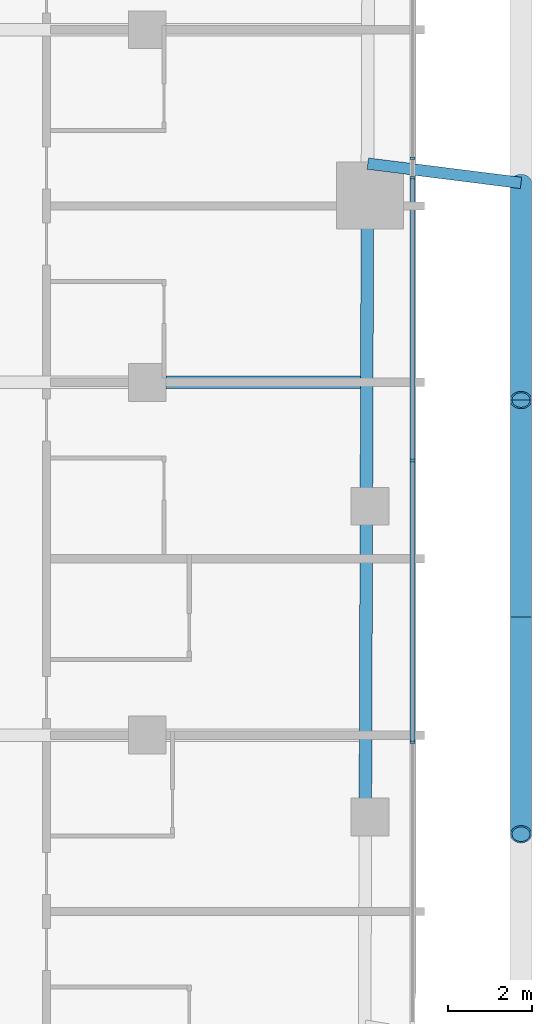
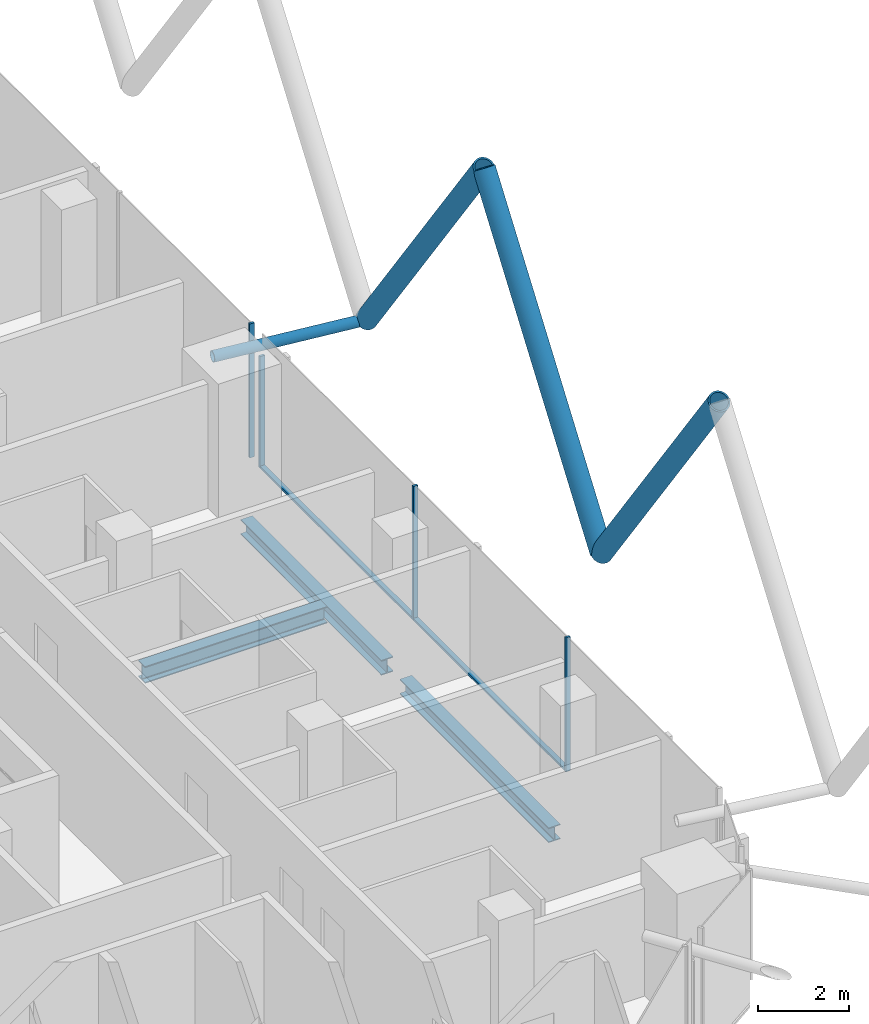
# One storey, part 8 of 36: 10 members, 3 beams, 3 elements without a shape of their own.
"""IFC4 building model written with IfcOpenShell, lengths in metres."""

from ifc_helpers import new_model, si_unit, direction, frame, origin, origin_2d, place, context, subcontext, project, spatial, rectangle, hollow_circle, i_section, extrude, material, layer, layer_set, material_profile, profile_set, type_object, element, aggregate, save


model = new_model("IFC4")

# Units and contexts
model_context = context("Model", 3, precision=1e-05, world=origin(), true_north=direction((0.0, 1.0)))
body_context = subcontext(model_context, "Body", "Model", "MODEL_VIEW")
ifc_project = project(units=[si_unit("LENGTHUNIT", "METRE"), si_unit("AREAUNIT", "SQUARE_METRE"), si_unit("VOLUMEUNIT", "CUBIC_METRE"), si_unit("PLANEANGLEUNIT", "RADIAN"), si_unit("MASSUNIT", "GRAM", prefix="KILO")], contexts=[model_context])

# Site, building, storey
site_placement = place(None, origin())
site = spatial("IfcSite", under=ifc_project, at=site_placement, CompositionType="ELEMENT")
building_placement = place(site_placement, origin())
building = spatial("IfcBuilding", under=site, at=building_placement, Name="Marenta Gate Hotel Tower", CompositionType="ELEMENT")
storey_placement = place(building_placement, frame((0.0, 0.0, 144.5)))
storey = spatial("IfcBuildingStorey", under=building, at=storey_placement, Name="L33", CompositionType="ELEMENT", Elevation=144.5)

# Members
ifc_material_1 = material(Name="Steel S355J2W", Category="steel")
ifc_material_profile_1 = material_profile(ifc_material_1, hollow_circle(Radius=0.25390625, WallThickness=0.0400390625, at=origin_2d()), Name="CHS 508x40")
ifc_profile_set_1 = profile_set([ifc_material_profile_1], Name="Steel S355J2W")
member_type_1 = type_object("IfcMemberType", Name="Diagrid diagonal Z2 CHS 508x40", PredefinedType="BRACE", material=ifc_profile_set_1)
member_1_placement = place(storey_placement, frame((29.89990234375, 4.75, 3.139892578125), z_axis=(0.0, -0.583265964901, 0.81228124082), x_axis=(1.0, 0.0, 0.0)))
element("IfcMember", 1, at=member_1_placement, inside=storey, type_object=member_type_1, Name="L33-DG-6", PredefinedType="BRACE", context=body_context, shape_type="SweptSolid", body=[
    extrude(hollow_circle(Radius=0.25390625, WallThickness=0.0400390625, at=origin_2d()), origin(), (0.0, 0.0, 1.0), 8.8642578125),
])
for number, where, z_axis, x_axis, name in (
    (2, (29.89990234375, -5.590087890625, 3.139892578125), (0.0, 0.583247791947, 0.812294289767), (-1.0, 0.0, 0.0), "L33-DG-7"),
    (3, (29.89990234375, -5.590087890625, 3.139892578125), (0.0, -0.583247791947, 0.812294289767), (1.0, 0.0, 0.0), "L33-DG-8"),
):
    element("IfcMember", number, at=place(storey_placement, frame(where, z_axis=z_axis, x_axis=x_axis)), inside=storey, type_object=member_type_1, Name=name, PredefinedType="BRACE", context=body_context, shape_type="SweptSolid", body=[
        extrude(hollow_circle(Radius=0.25390625, WallThickness=0.0400390625, at=origin_2d()), origin(), (0.0, 0.0, 1.0), 8.864013671875),
    ])

# Beams
ifc_material_2 = material(Name="Steel S355", Category="steel")
ifc_material_profile_2 = material_profile(ifc_material_2, i_section(OverallWidth=0.300048828125, OverallDepth=0.39990234375, WebThickness=0.013427734375, FlangeThickness=0.02392578125, FilletRadius=0.027099609375, at=origin_2d()), Name="HEB 400")
ifc_profile_set_2 = profile_set([ifc_material_profile_2], Name="Steel S355")
beam_type_1 = type_object("IfcBeamType", Name="Edge beam HEB 400", PredefinedType="SPANDREL", material=ifc_profile_set_2)
beam_1_placement = place(storey_placement, frame((26.2392578125, 3.68994140625, -0.4599609375), z_axis=(-0.003330441525, -0.999994454064, 0.0), x_axis=(0.999994454064, -0.003330441525, 0.0)))
element("IfcBeam", 4, at=beam_1_placement, inside=storey, type_object=beam_type_1, Name="L33-EB-25", PredefinedType="SPANDREL", context=body_context, shape_type="SweptSolid", body=[
    extrude(i_section(OverallWidth=0.300048828125, OverallDepth=0.39990234375, WebThickness=0.013427734375, FlangeThickness=0.02392578125, FilletRadius=0.027099609375, at=origin_2d()), origin(), (0.0, 0.0, 1.0), 6.23095703125),
])
beam_2_placement = place(storey_placement, frame((26.2158203125, -3.36083984375, -0.4599609375), z_axis=(-0.00333875569, -0.99999442634, 0.0), x_axis=(0.99999442634, -0.00333875569, 0.0)))
element("IfcBeam", 5, at=beam_2_placement, inside=storey, type_object=beam_type_1, Name="L33-EB-26", PredefinedType="SPANDREL", context=body_context, shape_type="SweptSolid", body=[
    extrude(i_section(OverallWidth=0.300048828125, OverallDepth=0.39990234375, WebThickness=0.013427734375, FlangeThickness=0.02392578125, FilletRadius=0.027099609375, at=origin_2d()), origin(), (0.0, 0.0, 1.0), 6.5810546875),
])

# Member
ifc_material_3 = material(Name="Steel S355J2W", Category="steel")
ifc_material_profile_3 = material_profile(ifc_material_3, hollow_circle(Radius=0.136474609375, WallThickness=0.012451171875, at=origin_2d()), Name="CHS 273x12.5")
ifc_profile_set_3 = profile_set([ifc_material_profile_3], Name="Steel S355J2W")
member_type_2 = type_object("IfcMemberType", Name="Floor tie CHS 273x12.5", PredefinedType="STRUT", material=ifc_profile_set_3)
member_2_placement = place(storey_placement, frame((29.89990234375, 4.75, 3.139892578125), z_axis=(-0.992172319979, 0.12487628865, 0.0), x_axis=(-0.12487628865, -0.992172319979, 0.0)))
element("IfcMember", 6, at=member_2_placement, inside=storey, type_object=member_type_2, Name="L33-DR-9", PredefinedType="STRUT", context=body_context, shape_type="SweptSolid", body=[
    extrude(hollow_circle(Radius=0.136474609375, WallThickness=0.012451171875, at=origin_2d()), origin(), (0.0, 0.0, 1.0), 3.677490234375),
])

# Beam
ifc_material_4 = material(Name="Steel S355", Category="steel")
ifc_material_profile_4 = material_profile(ifc_material_4, i_section(OverallWidth=0.300048828125, OverallDepth=0.449951171875, WebThickness=0.013916015625, FlangeThickness=0.02587890625, FilletRadius=0.027099609375, at=origin_2d()), Name="HEB 450")
ifc_profile_set_4 = profile_set([ifc_material_profile_4], Name="Steel S355")
beam_type_2 = type_object("IfcBeamType", Name="Girder HEB 450", PredefinedType="BEAM", material=ifc_profile_set_4)
beam_3_placement = place(storey_placement, frame((21.449951171875, 0.0, -0.485107421875), z_axis=(1.0, 0.0, 0.0), x_axis=(0.0, 1.0, 0.0)))
element("IfcBeam", 7, at=beam_3_placement, inside=storey, type_object=beam_type_2, Name="L33-GD-19", PredefinedType="BEAM", context=body_context, shape_type="SweptSolid", body=[
    extrude(i_section(OverallWidth=0.300048828125, OverallDepth=0.449951171875, WebThickness=0.013916015625, FlangeThickness=0.02587890625, FilletRadius=0.027099609375, at=origin_2d()), origin(), (0.0, 0.0, 1.0), 4.626953125),
])

# Curtain wall, members
ifc_material_5 = material(Name="Tinted insulated glass in bronze anodised frame", Category="glass")
ifc_layer = layer(ifc_material_5, 0.1201171875)
ifc_layer_set = layer_set([ifc_layer], Name="Tinted insulated glass in bronze anodised frame")
curtain_wall_type = type_object("IfcCurtainWallType", Name="Tower unitised curtain wall CW1", PredefinedType="NOTDEFINED", material=ifc_layer_set)
curtain_wall_1_placement = place(storey_placement, origin())
curtain_wall_1 = element("IfcCurtainWall", 8, at=curtain_wall_1_placement, inside=storey, type_object=curtain_wall_type, Name="CW1 run G33", PredefinedType="NOTDEFINED")
ifc_material_6 = material(Name="Bronze anodised aluminium", Category="aluminium")
ifc_material_profile_5 = material_profile(ifc_material_6, rectangle(XDim=0.1201171875, YDim=0.06005859375, at=origin_2d()), Name="Mullion CW1 60x120 bronze anodised aluminium")
ifc_profile_set_5 = profile_set([ifc_material_profile_5], Name="Bronze anodised aluminium")
member_type_3 = type_object("IfcMemberType", Name="Mullion CW1 60x120 bronze anodised aluminium", PredefinedType="MULLION", material=ifc_profile_set_5)
member_3_placement = place(storey_placement, frame((27.31396484375, -8.567626953125, 0.0), z_axis=(0.0, 0.0, 1.0), x_axis=(-1.0, 0.0, 0.0)))
member_3 = element("IfcMember", 9, at=member_3_placement, type_object=member_type_3, Name="CW1 mullion 2", PredefinedType="MULLION", context=body_context, shape_type="SweptSolid", body=[
    extrude(rectangle(XDim=0.1201171875, YDim=0.06005859375, at=origin_2d()), origin(), (0.0, 0.0, 1.0), 3.60009765625),
])
member_4_placement = place(storey_placement, frame((27.31396484375, -1.8603515625, 0.0), z_axis=(0.0, 0.0, 1.0), x_axis=(-1.0, 0.0, 0.0)))
member_4 = element("IfcMember", 10, at=member_4_placement, type_object=member_type_3, Name="CW1 mullion 3", PredefinedType="MULLION", context=body_context, shape_type="SweptSolid", body=[
    extrude(rectangle(XDim=0.1201171875, YDim=0.06005859375, at=origin_2d()), origin(), (0.0, 0.0, 1.0), 3.60009765625),
])

# Curtain wall, member
curtain_wall_2_placement = place(storey_placement, origin())
curtain_wall_2 = element("IfcCurtainWall", 11, at=curtain_wall_2_placement, inside=storey, type_object=curtain_wall_type, Name="CW1 run G34", PredefinedType="NOTDEFINED")
member_5_placement = place(storey_placement, frame((27.31396484375, 4.877197265625, 0.0), z_axis=(0.0, 0.0, 1.0), x_axis=(-1.0, 0.0, 0.0)))
member_5 = element("IfcMember", 12, at=member_5_placement, type_object=member_type_3, Name="CW1 mullion 1", PredefinedType="MULLION", context=body_context, shape_type="SweptSolid", body=[
    extrude(rectangle(XDim=0.1201171875, YDim=0.06005859375, at=origin_2d()), origin(), (0.0, 0.0, 1.0), 3.00048828125),
])
aggregate(curtain_wall_2, [member_5])

curtain_wall_3_placement = place(storey_placement, origin())
curtain_wall_3 = element("IfcCurtainWall", 13, at=curtain_wall_3_placement, inside=storey, type_object=curtain_wall_type, Name="CW1 run G35", PredefinedType="NOTDEFINED")
member_6_placement = place(storey_placement, frame((27.31396484375, 5.333740234375, 0.0), z_axis=(0.0, 0.0, 1.0), x_axis=(-1.0, 0.0, 0.0)))
member_6 = element("IfcMember", 14, at=member_6_placement, type_object=member_type_3, Name="CW1 mullion 1", PredefinedType="MULLION", context=body_context, shape_type="SweptSolid", body=[
    extrude(rectangle(XDim=0.1201171875, YDim=0.06005859375, at=origin_2d()), origin(), (0.0, 0.0, 1.0), 3.60009765625),
])
aggregate(curtain_wall_3, [member_6])

# Member
ifc_material_7 = material(Name="Bronze anodised aluminium", Category="aluminium")
ifc_material_profile_6 = material_profile(ifc_material_7, rectangle(XDim=0.1201171875, YDim=0.06005859375, at=origin_2d()), Name="Transom CW1 60x120 bronze anodised aluminium")
ifc_profile_set_6 = profile_set([ifc_material_profile_6], Name="Bronze anodised aluminium")
member_type_4 = type_object("IfcMemberType", Name="Transom CW1 60x120 bronze anodised aluminium", PredefinedType="USERDEFINED", material=ifc_profile_set_6)
member_7_placement = place(storey_placement, frame((27.31396484375, -8.53759765625, 0.030029296875), z_axis=(0.0, 1.0, 0.0), x_axis=(-1.0, 0.0, 0.0)))
member_7 = element("IfcMember", 15, at=member_7_placement, type_object=member_type_4, Name="CW1 transom 2.1", ObjectType="TRANSOM", PredefinedType="USERDEFINED", context=body_context, shape_type="SweptSolid", body=[
    extrude(rectangle(XDim=0.1201171875, YDim=0.06005859375, at=origin_2d()), origin(), (0.0, 0.0, 1.0), 6.6474609375),
])

member_8_placement = place(storey_placement, frame((27.31396484375, -1.830322265625, 0.030029296875), z_axis=(0.0, 1.0, 0.0), x_axis=(-1.0, 0.0, 0.0)))
member_8 = element("IfcMember", 16, at=member_8_placement, type_object=member_type_4, Name="CW1 transom 3.1", ObjectType="TRANSOM", PredefinedType="USERDEFINED", context=body_context, shape_type="SweptSolid", body=[
    extrude(rectangle(XDim=0.1201171875, YDim=0.06005859375, at=origin_2d()), origin(), (0.0, 0.0, 1.0), 6.677490234375),
])

aggregate(curtain_wall_1, [member_3, member_4, member_7, member_8])

save(model, "model.ifc")
